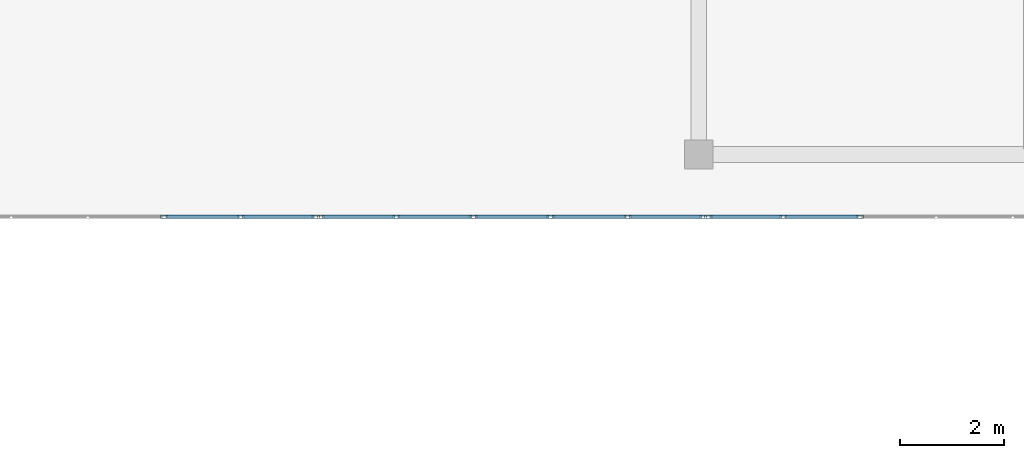
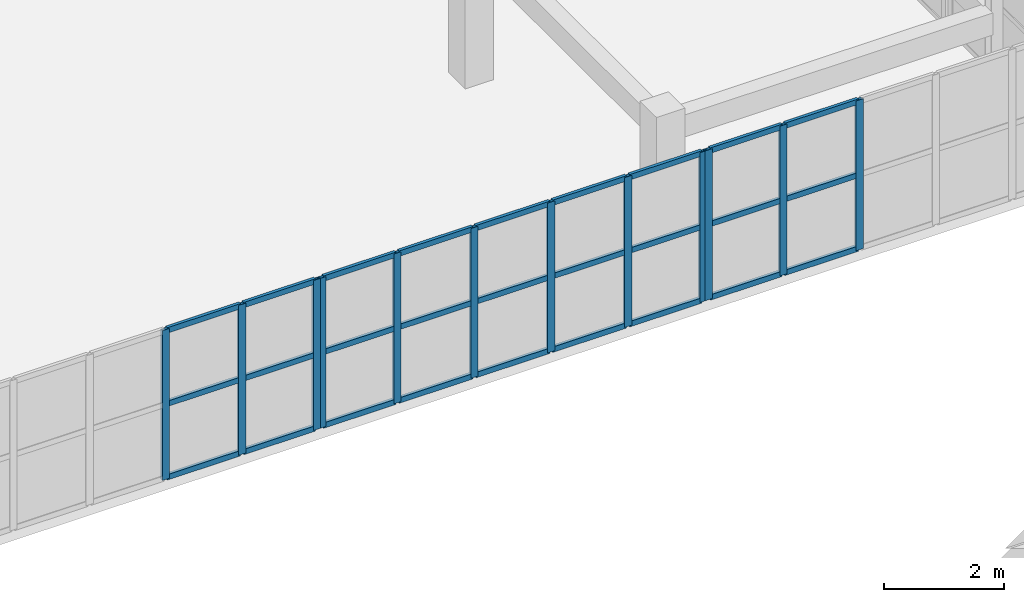
# One storey, part 44 of 148: 39 members, 3 elements without a shape of their own.
"""IFC4 building model written with IfcOpenShell, lengths in metres."""

from ifc_helpers import new_model, si_unit, direction, frame, origin, origin_2d, place, context, subcontext, project, spatial, hollow_rectangle, extrude, material, layer, layer_set, material_profile, profile_set, type_object, element, aggregate, save


model = new_model("IFC4")

# Units and contexts
model_context = context("Model", 3, precision=1e-05, world=origin(), true_north=direction((0.0, 1.0)))
body_context = subcontext(model_context, "Body", "Model", "MODEL_VIEW")
ifc_project = project(units=[si_unit("LENGTHUNIT", "METRE"), si_unit("AREAUNIT", "SQUARE_METRE"), si_unit("VOLUMEUNIT", "CUBIC_METRE"), si_unit("PLANEANGLEUNIT", "RADIAN"), si_unit("MASSUNIT", "GRAM", prefix="KILO")], contexts=[model_context])

# Site, building, storey
site_placement = place(None, origin())
site = spatial("IfcSite", under=ifc_project, at=site_placement, CompositionType="ELEMENT")
building_placement = place(site_placement, origin())
building = spatial("IfcBuilding", under=site, at=building_placement, Name="Trelvath General Hospital", CompositionType="ELEMENT")
storey_placement = place(building_placement, frame((0.0, 0.0, 12.89990234375)))
storey = spatial("IfcBuildingStorey", under=building, at=storey_placement, Name="L03", CompositionType="ELEMENT", Elevation=12.89990234375)

# Curtain wall, members
ifc_material_1 = material(Name="Anodised aluminium and low-E glass", Category="aluminium")
ifc_layer_1 = layer(ifc_material_1, 0.14990234375)
ifc_layer_set_1 = layer_set([ifc_layer_1], Name="Anodised aluminium and low-E glass")
curtain_wall_type_1 = type_object("IfcCurtainWallType", Name="CW CrystalCube 737 306 15", PredefinedType="USERDEFINED", material=ifc_layer_set_1)
curtain_wall_1_placement = place(storey_placement, origin())
curtain_wall_1 = element("IfcCurtainWall", 1, at=curtain_wall_1_placement, inside=storey, type_object=curtain_wall_type_1, Name="Crystal Cube Curtain Wall CUBE-E-T1 S1 L03", ObjectType="Unitised Glazed Curtain Wall", PredefinedType="USERDEFINED")
ifc_material_2 = material(Name="Anodised aluminium", Category="aluminium")
ifc_material_profile_1 = material_profile(ifc_material_2, hollow_rectangle(XDim=0.06005859375, YDim=0.139892578125, WallThickness=0.00390625, at=origin_2d()), Name="RHS60x140x4")
ifc_profile_set_1 = profile_set([ifc_material_profile_1], Name="Anodised aluminium")
member_type_1 = type_object("IfcMemberType", Name="CurtainMullion 60x140", PredefinedType="MULLION", material=ifc_profile_set_1)
member_1_placement = place(storey_placement, frame((99.816650390625, 37.199951171875, 0.0), z_axis=(0.0, 0.0, 1.0), x_axis=(0.0, -1.0, 0.0)))
member_1 = element("IfcMember", 2, at=member_1_placement, type_object=member_type_1, Name="CW-244 mullion 1", PredefinedType="MULLION", context=body_context, shape_type="SweptSolid", body=[
    extrude(hollow_rectangle(XDim=0.06005859375, YDim=0.139892578125, WallThickness=0.00390625, at=origin_2d()), origin(), (0.0, 0.0, 1.0), 3.06005859375),
])
member_2_placement = place(storey_placement, frame((98.373291015625, 37.199951171875, 0.0), z_axis=(0.0, 0.0, 1.0), x_axis=(0.0, -1.0, 0.0)))
member_2 = element("IfcMember", 3, at=member_2_placement, type_object=member_type_1, Name="CW-244 mullion 2", PredefinedType="MULLION", context=body_context, shape_type="SweptSolid", body=[
    extrude(hollow_rectangle(XDim=0.06005859375, YDim=0.139892578125, WallThickness=0.00390625, at=origin_2d()), origin(), (0.0, 0.0, 1.0), 3.06005859375),
])
member_3_placement = place(storey_placement, frame((96.89990234375, 37.199951171875, 0.0), z_axis=(0.0, 0.0, 1.0), x_axis=(0.0, -1.0, 0.0)))
member_3 = element("IfcMember", 4, at=member_3_placement, type_object=member_type_1, Name="CW-244 mullion 3", PredefinedType="MULLION", context=body_context, shape_type="SweptSolid", body=[
    extrude(hollow_rectangle(XDim=0.06005859375, YDim=0.139892578125, WallThickness=0.00390625, at=origin_2d()), origin(), (0.0, 0.0, 1.0), 3.06005859375),
])

ifc_material_3 = material(Name="Anodised aluminium and low-E glass", Category="aluminium")
ifc_layer_2 = layer(ifc_material_3, 0.14990234375)
ifc_layer_set_2 = layer_set([ifc_layer_2], Name="Anodised aluminium and low-E glass")
curtain_wall_type_2 = type_object("IfcCurtainWallType", Name="CW CrystalCube 743 306 15", PredefinedType="USERDEFINED", material=ifc_layer_set_2)
curtain_wall_2_placement = place(storey_placement, origin())
curtain_wall_2 = element("IfcCurtainWall", 5, at=curtain_wall_2_placement, inside=storey, type_object=curtain_wall_type_2, Name="Crystal Cube Curtain Wall CUBE-E-T1 S2 L03", ObjectType="Unitised Glazed Curtain Wall", PredefinedType="USERDEFINED")
member_4_placement = place(storey_placement, frame((107.283203125, 37.199951171875, 0.0), z_axis=(0.0, 0.0, 1.0), x_axis=(0.0, -1.0, 0.0)))
member_4 = element("IfcMember", 6, at=member_4_placement, type_object=member_type_1, Name="CW-245 mullion 1", PredefinedType="MULLION", context=body_context, shape_type="SweptSolid", body=[
    extrude(hollow_rectangle(XDim=0.06005859375, YDim=0.139892578125, WallThickness=0.00390625, at=origin_2d()), origin(), (0.0, 0.0, 1.0), 3.06005859375),
])
member_5_placement = place(storey_placement, frame((105.827880859375, 37.199951171875, 0.0), z_axis=(0.0, 0.0, 1.0), x_axis=(0.0, -1.0, 0.0)))
member_5 = element("IfcMember", 7, at=member_5_placement, type_object=member_type_1, Name="CW-245 mullion 2", PredefinedType="MULLION", context=body_context, shape_type="SweptSolid", body=[
    extrude(hollow_rectangle(XDim=0.06005859375, YDim=0.139892578125, WallThickness=0.00390625, at=origin_2d()), origin(), (0.0, 0.0, 1.0), 3.06005859375),
])
member_6_placement = place(storey_placement, frame((104.3427734375, 37.199951171875, 0.0), z_axis=(0.0, 0.0, 1.0), x_axis=(0.0, -1.0, 0.0)))
member_6 = element("IfcMember", 8, at=member_6_placement, type_object=member_type_1, Name="CW-245 mullion 3", PredefinedType="MULLION", context=body_context, shape_type="SweptSolid", body=[
    extrude(hollow_rectangle(XDim=0.06005859375, YDim=0.139892578125, WallThickness=0.00390625, at=origin_2d()), origin(), (0.0, 0.0, 1.0), 3.06005859375),
])
member_7_placement = place(storey_placement, frame((102.857421875, 37.199951171875, 0.0), z_axis=(0.0, 0.0, 1.0), x_axis=(0.0, -1.0, 0.0)))
member_7 = element("IfcMember", 9, at=member_7_placement, type_object=member_type_1, Name="CW-245 mullion 4", PredefinedType="MULLION", context=body_context, shape_type="SweptSolid", body=[
    extrude(hollow_rectangle(XDim=0.06005859375, YDim=0.139892578125, WallThickness=0.00390625, at=origin_2d()), origin(), (0.0, 0.0, 1.0), 3.06005859375),
])
member_8_placement = place(storey_placement, frame((101.3720703125, 37.199951171875, 0.0), z_axis=(0.0, 0.0, 1.0), x_axis=(0.0, -1.0, 0.0)))
member_8 = element("IfcMember", 10, at=member_8_placement, type_object=member_type_1, Name="CW-245 mullion 5", PredefinedType="MULLION", context=body_context, shape_type="SweptSolid", body=[
    extrude(hollow_rectangle(XDim=0.06005859375, YDim=0.139892578125, WallThickness=0.00390625, at=origin_2d()), origin(), (0.0, 0.0, 1.0), 3.06005859375),
])
member_9_placement = place(storey_placement, frame((99.916748046875, 37.199951171875, 0.0), z_axis=(0.0, 0.0, 1.0), x_axis=(0.0, -1.0, 0.0)))
member_9 = element("IfcMember", 11, at=member_9_placement, type_object=member_type_1, Name="CW-245 mullion 6", PredefinedType="MULLION", context=body_context, shape_type="SweptSolid", body=[
    extrude(hollow_rectangle(XDim=0.06005859375, YDim=0.139892578125, WallThickness=0.00390625, at=origin_2d()), origin(), (0.0, 0.0, 1.0), 3.06005859375),
])

curtain_wall_3_placement = place(storey_placement, origin())
curtain_wall_3 = element("IfcCurtainWall", 12, at=curtain_wall_3_placement, inside=storey, type_object=curtain_wall_type_1, Name="Crystal Cube Curtain Wall CUBE-E-T1 S3 L03", ObjectType="Unitised Glazed Curtain Wall", PredefinedType="USERDEFINED")
member_10_placement = place(storey_placement, frame((110.300048828125, 37.199951171875, 0.0), z_axis=(0.0, 0.0, 1.0), x_axis=(0.0, -1.0, 0.0)))
member_10 = element("IfcMember", 13, at=member_10_placement, type_object=member_type_1, Name="CW-246 mullion 4", PredefinedType="MULLION", context=body_context, shape_type="SweptSolid", body=[
    extrude(hollow_rectangle(XDim=0.06005859375, YDim=0.139892578125, WallThickness=0.00390625, at=origin_2d()), origin(), (0.0, 0.0, 1.0), 3.06005859375),
])
member_11_placement = place(storey_placement, frame((108.82666015625, 37.199951171875, 0.0), z_axis=(0.0, 0.0, 1.0), x_axis=(0.0, -1.0, 0.0)))
member_11 = element("IfcMember", 14, at=member_11_placement, type_object=member_type_1, Name="CW-246 mullion 5", PredefinedType="MULLION", context=body_context, shape_type="SweptSolid", body=[
    extrude(hollow_rectangle(XDim=0.06005859375, YDim=0.139892578125, WallThickness=0.00390625, at=origin_2d()), origin(), (0.0, 0.0, 1.0), 3.06005859375),
])
member_12_placement = place(storey_placement, frame((107.38330078125, 37.199951171875, 0.0), z_axis=(0.0, 0.0, 1.0), x_axis=(0.0, -1.0, 0.0)))
member_12 = element("IfcMember", 15, at=member_12_placement, type_object=member_type_1, Name="CW-246 mullion 6", PredefinedType="MULLION", context=body_context, shape_type="SweptSolid", body=[
    extrude(hollow_rectangle(XDim=0.06005859375, YDim=0.139892578125, WallThickness=0.00390625, at=origin_2d()), origin(), (0.0, 0.0, 1.0), 3.06005859375),
])

# Member
ifc_material_4 = material(Name="Anodised aluminium", Category="aluminium")
ifc_material_profile_2 = material_profile(ifc_material_4, hollow_rectangle(XDim=0.06005859375, YDim=0.110107421875, WallThickness=0.00390625, at=origin_2d()), Name="RHS60x110x4")
ifc_profile_set_2 = profile_set([ifc_material_profile_2], Name="Anodised aluminium")
member_type_2 = type_object("IfcMemberType", Name="CurtainTransom 60x110", PredefinedType="USERDEFINED", material=ifc_profile_set_2)
member_13_placement = place(storey_placement, frame((99.78662109375, 37.199951171875, 0.030029296875), z_axis=(-1.0, 0.0, 0.0), x_axis=(0.0, -1.0, 0.0)))
member_13 = element("IfcMember", 16, at=member_13_placement, type_object=member_type_2, Name="CW-244 transom 1.1", ObjectType="TRANSOM", PredefinedType="USERDEFINED", context=body_context, shape_type="SweptSolid", body=[
    extrude(hollow_rectangle(XDim=0.06005859375, YDim=0.110107421875, WallThickness=0.00390625, at=origin_2d()), origin(), (0.0, 0.0, 1.0), 1.38330078125),
])

member_14_placement = place(storey_placement, frame((99.78662109375, 37.199951171875, 1.530029296875), z_axis=(-1.0, 0.0, 0.0), x_axis=(0.0, -1.0, 0.0)))
member_14 = element("IfcMember", 17, at=member_14_placement, type_object=member_type_2, Name="CW-244 transom 1.2", ObjectType="TRANSOM", PredefinedType="USERDEFINED", context=body_context, shape_type="SweptSolid", body=[
    extrude(hollow_rectangle(XDim=0.06005859375, YDim=0.110107421875, WallThickness=0.00390625, at=origin_2d()), origin(), (0.0, 0.0, 1.0), 1.38330078125),
])

member_15_placement = place(storey_placement, frame((99.78662109375, 37.199951171875, 3.030029296875), z_axis=(-1.0, 0.0, 0.0), x_axis=(0.0, -1.0, 0.0)))
member_15 = element("IfcMember", 18, at=member_15_placement, type_object=member_type_2, Name="CW-244 transom 1.3", ObjectType="TRANSOM", PredefinedType="USERDEFINED", context=body_context, shape_type="SweptSolid", body=[
    extrude(hollow_rectangle(XDim=0.06005859375, YDim=0.110107421875, WallThickness=0.00390625, at=origin_2d()), origin(), (0.0, 0.0, 1.0), 1.38330078125),
])

member_16_placement = place(storey_placement, frame((98.34326171875, 37.199951171875, 0.030029296875), z_axis=(-1.0, 0.0, 0.0), x_axis=(0.0, -1.0, 0.0)))
member_16 = element("IfcMember", 19, at=member_16_placement, type_object=member_type_2, Name="CW-244 transom 2.1", ObjectType="TRANSOM", PredefinedType="USERDEFINED", context=body_context, shape_type="SweptSolid", body=[
    extrude(hollow_rectangle(XDim=0.06005859375, YDim=0.110107421875, WallThickness=0.00390625, at=origin_2d()), origin(), (0.0, 0.0, 1.0), 1.413330078125),
])

member_17_placement = place(storey_placement, frame((98.34326171875, 37.199951171875, 1.530029296875), z_axis=(-1.0, 0.0, 0.0), x_axis=(0.0, -1.0, 0.0)))
member_17 = element("IfcMember", 20, at=member_17_placement, type_object=member_type_2, Name="CW-244 transom 2.2", ObjectType="TRANSOM", PredefinedType="USERDEFINED", context=body_context, shape_type="SweptSolid", body=[
    extrude(hollow_rectangle(XDim=0.06005859375, YDim=0.110107421875, WallThickness=0.00390625, at=origin_2d()), origin(), (0.0, 0.0, 1.0), 1.413330078125),
])

member_18_placement = place(storey_placement, frame((98.34326171875, 37.199951171875, 3.030029296875), z_axis=(-1.0, 0.0, 0.0), x_axis=(0.0, -1.0, 0.0)))
member_18 = element("IfcMember", 21, at=member_18_placement, type_object=member_type_2, Name="CW-244 transom 2.3", ObjectType="TRANSOM", PredefinedType="USERDEFINED", context=body_context, shape_type="SweptSolid", body=[
    extrude(hollow_rectangle(XDim=0.06005859375, YDim=0.110107421875, WallThickness=0.00390625, at=origin_2d()), origin(), (0.0, 0.0, 1.0), 1.413330078125),
])

aggregate(curtain_wall_1, [member_1, member_2, member_3, member_13, member_14, member_15, member_16, member_17, member_18])

member_19_placement = place(storey_placement, frame((107.25341796875, 37.199951171875, 0.030029296875), z_axis=(-1.0, 0.0, 0.0), x_axis=(0.0, -1.0, 0.0)))
member_19 = element("IfcMember", 22, at=member_19_placement, type_object=member_type_2, Name="CW-245 transom 1.1", ObjectType="TRANSOM", PredefinedType="USERDEFINED", context=body_context, shape_type="SweptSolid", body=[
    extrude(hollow_rectangle(XDim=0.06005859375, YDim=0.110107421875, WallThickness=0.00390625, at=origin_2d()), origin(), (0.0, 0.0, 1.0), 1.3955078125),
])

member_20_placement = place(storey_placement, frame((107.25341796875, 37.199951171875, 1.530029296875), z_axis=(-1.0, 0.0, 0.0), x_axis=(0.0, -1.0, 0.0)))
member_20 = element("IfcMember", 23, at=member_20_placement, type_object=member_type_2, Name="CW-245 transom 1.2", ObjectType="TRANSOM", PredefinedType="USERDEFINED", context=body_context, shape_type="SweptSolid", body=[
    extrude(hollow_rectangle(XDim=0.06005859375, YDim=0.110107421875, WallThickness=0.00390625, at=origin_2d()), origin(), (0.0, 0.0, 1.0), 1.3955078125),
])

member_21_placement = place(storey_placement, frame((107.25341796875, 37.199951171875, 3.030029296875), z_axis=(-1.0, 0.0, 0.0), x_axis=(0.0, -1.0, 0.0)))
member_21 = element("IfcMember", 24, at=member_21_placement, type_object=member_type_2, Name="CW-245 transom 1.3", ObjectType="TRANSOM", PredefinedType="USERDEFINED", context=body_context, shape_type="SweptSolid", body=[
    extrude(hollow_rectangle(XDim=0.06005859375, YDim=0.110107421875, WallThickness=0.00390625, at=origin_2d()), origin(), (0.0, 0.0, 1.0), 1.3955078125),
])

member_22_placement = place(storey_placement, frame((105.798095703125, 37.199951171875, 0.030029296875), z_axis=(-1.0, 0.0, 0.0), x_axis=(0.0, -1.0, 0.0)))
member_22 = element("IfcMember", 25, at=member_22_placement, type_object=member_type_2, Name="CW-245 transom 2.1", ObjectType="TRANSOM", PredefinedType="USERDEFINED", context=body_context, shape_type="SweptSolid", body=[
    extrude(hollow_rectangle(XDim=0.06005859375, YDim=0.110107421875, WallThickness=0.00390625, at=origin_2d()), origin(), (0.0, 0.0, 1.0), 1.425537109375),
])

member_23_placement = place(storey_placement, frame((105.798095703125, 37.199951171875, 1.530029296875), z_axis=(-1.0, 0.0, 0.0), x_axis=(0.0, -1.0, 0.0)))
member_23 = element("IfcMember", 26, at=member_23_placement, type_object=member_type_2, Name="CW-245 transom 2.2", ObjectType="TRANSOM", PredefinedType="USERDEFINED", context=body_context, shape_type="SweptSolid", body=[
    extrude(hollow_rectangle(XDim=0.06005859375, YDim=0.110107421875, WallThickness=0.00390625, at=origin_2d()), origin(), (0.0, 0.0, 1.0), 1.425537109375),
])

member_24_placement = place(storey_placement, frame((105.798095703125, 37.199951171875, 3.030029296875), z_axis=(-1.0, 0.0, 0.0), x_axis=(0.0, -1.0, 0.0)))
member_24 = element("IfcMember", 27, at=member_24_placement, type_object=member_type_2, Name="CW-245 transom 2.3", ObjectType="TRANSOM", PredefinedType="USERDEFINED", context=body_context, shape_type="SweptSolid", body=[
    extrude(hollow_rectangle(XDim=0.06005859375, YDim=0.110107421875, WallThickness=0.00390625, at=origin_2d()), origin(), (0.0, 0.0, 1.0), 1.425537109375),
])

member_25_placement = place(storey_placement, frame((104.312744140625, 37.199951171875, 0.030029296875), z_axis=(-1.0, 0.0, 0.0), x_axis=(0.0, -1.0, 0.0)))
member_25 = element("IfcMember", 28, at=member_25_placement, type_object=member_type_2, Name="CW-245 transom 3.1", ObjectType="TRANSOM", PredefinedType="USERDEFINED", context=body_context, shape_type="SweptSolid", body=[
    extrude(hollow_rectangle(XDim=0.06005859375, YDim=0.110107421875, WallThickness=0.00390625, at=origin_2d()), origin(), (0.0, 0.0, 1.0), 1.42529296875),
])

member_26_placement = place(storey_placement, frame((104.312744140625, 37.199951171875, 1.530029296875), z_axis=(-1.0, 0.0, 0.0), x_axis=(0.0, -1.0, 0.0)))
member_26 = element("IfcMember", 29, at=member_26_placement, type_object=member_type_2, Name="CW-245 transom 3.2", ObjectType="TRANSOM", PredefinedType="USERDEFINED", context=body_context, shape_type="SweptSolid", body=[
    extrude(hollow_rectangle(XDim=0.06005859375, YDim=0.110107421875, WallThickness=0.00390625, at=origin_2d()), origin(), (0.0, 0.0, 1.0), 1.42529296875),
])

member_27_placement = place(storey_placement, frame((104.312744140625, 37.199951171875, 3.030029296875), z_axis=(-1.0, 0.0, 0.0), x_axis=(0.0, -1.0, 0.0)))
member_27 = element("IfcMember", 30, at=member_27_placement, type_object=member_type_2, Name="CW-245 transom 3.3", ObjectType="TRANSOM", PredefinedType="USERDEFINED", context=body_context, shape_type="SweptSolid", body=[
    extrude(hollow_rectangle(XDim=0.06005859375, YDim=0.110107421875, WallThickness=0.00390625, at=origin_2d()), origin(), (0.0, 0.0, 1.0), 1.42529296875),
])

member_28_placement = place(storey_placement, frame((102.827392578125, 37.199951171875, 0.030029296875), z_axis=(-1.0, 0.0, 0.0), x_axis=(0.0, -1.0, 0.0)))
member_28 = element("IfcMember", 31, at=member_28_placement, type_object=member_type_2, Name="CW-245 transom 4.1", ObjectType="TRANSOM", PredefinedType="USERDEFINED", context=body_context, shape_type="SweptSolid", body=[
    extrude(hollow_rectangle(XDim=0.06005859375, YDim=0.110107421875, WallThickness=0.00390625, at=origin_2d()), origin(), (0.0, 0.0, 1.0), 1.42529296875),
])

member_29_placement = place(storey_placement, frame((102.827392578125, 37.199951171875, 1.530029296875), z_axis=(-1.0, 0.0, 0.0), x_axis=(0.0, -1.0, 0.0)))
member_29 = element("IfcMember", 32, at=member_29_placement, type_object=member_type_2, Name="CW-245 transom 4.2", ObjectType="TRANSOM", PredefinedType="USERDEFINED", context=body_context, shape_type="SweptSolid", body=[
    extrude(hollow_rectangle(XDim=0.06005859375, YDim=0.110107421875, WallThickness=0.00390625, at=origin_2d()), origin(), (0.0, 0.0, 1.0), 1.42529296875),
])

member_30_placement = place(storey_placement, frame((102.827392578125, 37.199951171875, 3.030029296875), z_axis=(-1.0, 0.0, 0.0), x_axis=(0.0, -1.0, 0.0)))
member_30 = element("IfcMember", 33, at=member_30_placement, type_object=member_type_2, Name="CW-245 transom 4.3", ObjectType="TRANSOM", PredefinedType="USERDEFINED", context=body_context, shape_type="SweptSolid", body=[
    extrude(hollow_rectangle(XDim=0.06005859375, YDim=0.110107421875, WallThickness=0.00390625, at=origin_2d()), origin(), (0.0, 0.0, 1.0), 1.42529296875),
])

member_31_placement = place(storey_placement, frame((101.342041015625, 37.199951171875, 0.030029296875), z_axis=(-1.0, 0.0, 0.0), x_axis=(0.0, -1.0, 0.0)))
member_31 = element("IfcMember", 34, at=member_31_placement, type_object=member_type_2, Name="CW-245 transom 5.1", ObjectType="TRANSOM", PredefinedType="USERDEFINED", context=body_context, shape_type="SweptSolid", body=[
    extrude(hollow_rectangle(XDim=0.06005859375, YDim=0.110107421875, WallThickness=0.00390625, at=origin_2d()), origin(), (0.0, 0.0, 1.0), 1.395263671875),
])

member_32_placement = place(storey_placement, frame((101.342041015625, 37.199951171875, 1.530029296875), z_axis=(-1.0, 0.0, 0.0), x_axis=(0.0, -1.0, 0.0)))
member_32 = element("IfcMember", 35, at=member_32_placement, type_object=member_type_2, Name="CW-245 transom 5.2", ObjectType="TRANSOM", PredefinedType="USERDEFINED", context=body_context, shape_type="SweptSolid", body=[
    extrude(hollow_rectangle(XDim=0.06005859375, YDim=0.110107421875, WallThickness=0.00390625, at=origin_2d()), origin(), (0.0, 0.0, 1.0), 1.395263671875),
])

member_33_placement = place(storey_placement, frame((101.342041015625, 37.199951171875, 3.030029296875), z_axis=(-1.0, 0.0, 0.0), x_axis=(0.0, -1.0, 0.0)))
member_33 = element("IfcMember", 36, at=member_33_placement, type_object=member_type_2, Name="CW-245 transom 5.3", ObjectType="TRANSOM", PredefinedType="USERDEFINED", context=body_context, shape_type="SweptSolid", body=[
    extrude(hollow_rectangle(XDim=0.06005859375, YDim=0.110107421875, WallThickness=0.00390625, at=origin_2d()), origin(), (0.0, 0.0, 1.0), 1.395263671875),
])

aggregate(curtain_wall_2, [member_4, member_5, member_6, member_7, member_8, member_9, member_19, member_20, member_21, member_22, member_23, member_24, member_25, member_26, member_27, member_28, member_29, member_30, member_31, member_32, member_33])

member_34_placement = place(storey_placement, frame((110.27001953125, 37.199951171875, 0.030029296875), z_axis=(-1.0, 0.0, 0.0), x_axis=(0.0, -1.0, 0.0)))
member_34 = element("IfcMember", 37, at=member_34_placement, type_object=member_type_2, Name="CW-246 transom 4.1", ObjectType="TRANSOM", PredefinedType="USERDEFINED", context=body_context, shape_type="SweptSolid", body=[
    extrude(hollow_rectangle(XDim=0.06005859375, YDim=0.110107421875, WallThickness=0.00390625, at=origin_2d()), origin(), (0.0, 0.0, 1.0), 1.413330078125),
])

member_35_placement = place(storey_placement, frame((110.27001953125, 37.199951171875, 1.530029296875), z_axis=(-1.0, 0.0, 0.0), x_axis=(0.0, -1.0, 0.0)))
member_35 = element("IfcMember", 38, at=member_35_placement, type_object=member_type_2, Name="CW-246 transom 4.2", ObjectType="TRANSOM", PredefinedType="USERDEFINED", context=body_context, shape_type="SweptSolid", body=[
    extrude(hollow_rectangle(XDim=0.06005859375, YDim=0.110107421875, WallThickness=0.00390625, at=origin_2d()), origin(), (0.0, 0.0, 1.0), 1.413330078125),
])

member_36_placement = place(storey_placement, frame((110.27001953125, 37.199951171875, 3.030029296875), z_axis=(-1.0, 0.0, 0.0), x_axis=(0.0, -1.0, 0.0)))
member_36 = element("IfcMember", 39, at=member_36_placement, type_object=member_type_2, Name="CW-246 transom 4.3", ObjectType="TRANSOM", PredefinedType="USERDEFINED", context=body_context, shape_type="SweptSolid", body=[
    extrude(hollow_rectangle(XDim=0.06005859375, YDim=0.110107421875, WallThickness=0.00390625, at=origin_2d()), origin(), (0.0, 0.0, 1.0), 1.413330078125),
])

member_37_placement = place(storey_placement, frame((108.796630859375, 37.199951171875, 0.030029296875), z_axis=(-1.0, 0.0, 0.0), x_axis=(0.0, -1.0, 0.0)))
member_37 = element("IfcMember", 40, at=member_37_placement, type_object=member_type_2, Name="CW-246 transom 5.1", ObjectType="TRANSOM", PredefinedType="USERDEFINED", context=body_context, shape_type="SweptSolid", body=[
    extrude(hollow_rectangle(XDim=0.06005859375, YDim=0.110107421875, WallThickness=0.00390625, at=origin_2d()), origin(), (0.0, 0.0, 1.0), 1.38330078125),
])

member_38_placement = place(storey_placement, frame((108.796630859375, 37.199951171875, 1.530029296875), z_axis=(-1.0, 0.0, 0.0), x_axis=(0.0, -1.0, 0.0)))
member_38 = element("IfcMember", 41, at=member_38_placement, type_object=member_type_2, Name="CW-246 transom 5.2", ObjectType="TRANSOM", PredefinedType="USERDEFINED", context=body_context, shape_type="SweptSolid", body=[
    extrude(hollow_rectangle(XDim=0.06005859375, YDim=0.110107421875, WallThickness=0.00390625, at=origin_2d()), origin(), (0.0, 0.0, 1.0), 1.38330078125),
])

member_39_placement = place(storey_placement, frame((108.796630859375, 37.199951171875, 3.030029296875), z_axis=(-1.0, 0.0, 0.0), x_axis=(0.0, -1.0, 0.0)))
member_39 = element("IfcMember", 42, at=member_39_placement, type_object=member_type_2, Name="CW-246 transom 5.3", ObjectType="TRANSOM", PredefinedType="USERDEFINED", context=body_context, shape_type="SweptSolid", body=[
    extrude(hollow_rectangle(XDim=0.06005859375, YDim=0.110107421875, WallThickness=0.00390625, at=origin_2d()), origin(), (0.0, 0.0, 1.0), 1.38330078125),
])

aggregate(curtain_wall_3, [member_10, member_11, member_12, member_34, member_35, member_36, member_37, member_38, member_39])

save(model, "model.ifc")
